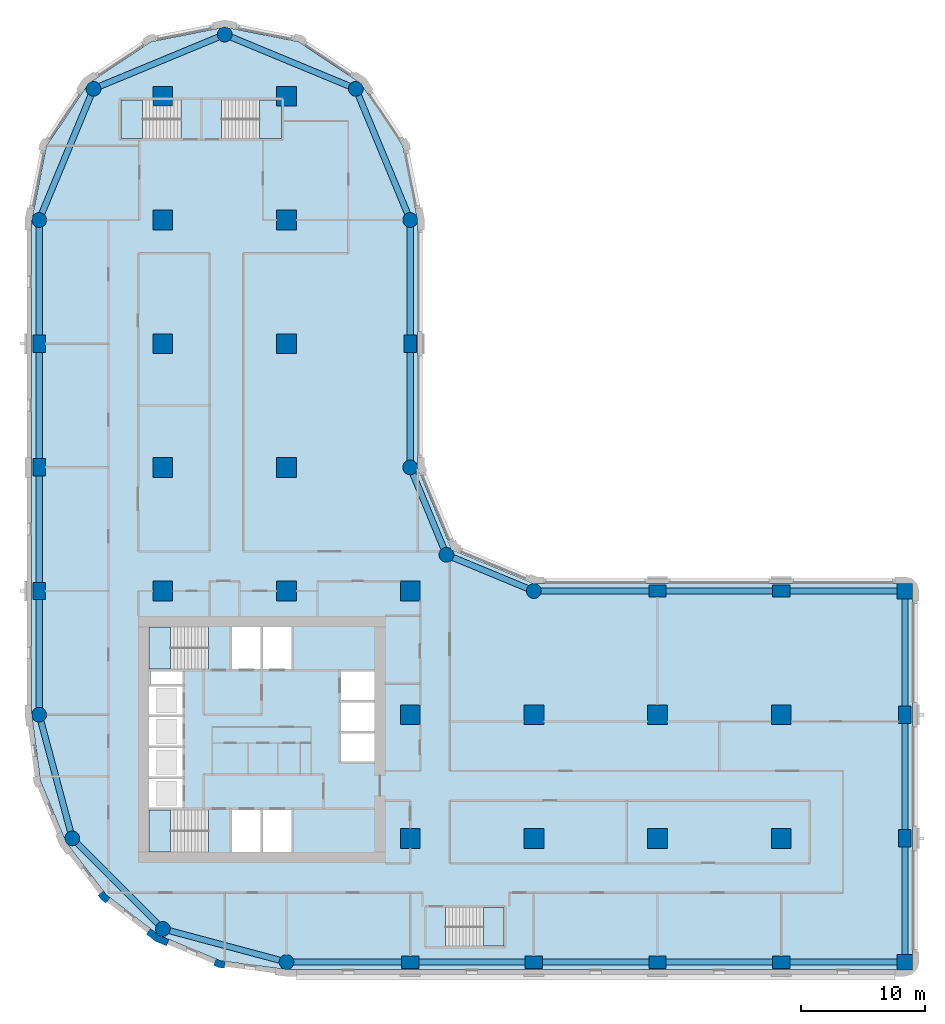
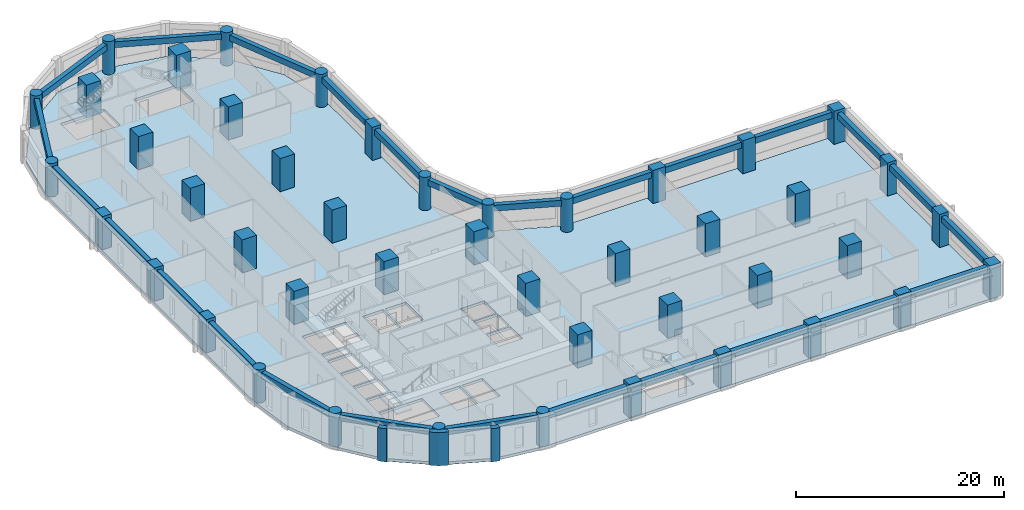
# One storey, part 1 of 11: 45 columns, 26 beams, 6 slabs, 3 walls, 5 elements without a shape of their own.
"""IFC4 building model written with IfcOpenShell, lengths in metres."""

from ifc_helpers import new_model, si_unit, direction, frame, origin, origin_2d, place, context, subcontext, project, spatial, polyline, rectangle, circle, outline, extrude, material, layer, layer_set, material_profile, profile_set, type_object, element, aggregate, save


model = new_model("IFC4")

# Units and contexts
model_context = context("Model", 3, precision=1e-05, world=origin(), true_north=direction((0.0, 1.0)))
body_context = subcontext(model_context, "Body", "Model", "MODEL_VIEW")
ifc_project = project(units=[si_unit("LENGTHUNIT", "METRE"), si_unit("AREAUNIT", "SQUARE_METRE"), si_unit("VOLUMEUNIT", "CUBIC_METRE"), si_unit("PLANEANGLEUNIT", "RADIAN"), si_unit("MASSUNIT", "GRAM", prefix="KILO")], contexts=[model_context])

# Site, building, storey
site_placement = place(None, origin())
site = spatial("IfcSite", under=ifc_project, at=site_placement, CompositionType="ELEMENT")
building_placement = place(site_placement, origin())
building = spatial("IfcBuilding", under=site, at=building_placement, Name="Qaws Garden Tower", CompositionType="ELEMENT")
storey_placement = place(building_placement, frame((0.0, 0.0, 23.699951171875)))
storey = spatial("IfcBuildingStorey", under=building, at=storey_placement, Name="L05", CompositionType="ELEMENT", Elevation=23.699951171875)

# Columns
ifc_material_1 = material(Name="Concrete C80", Category="concrete")
ifc_material_profile_1 = material_profile(ifc_material_1, rectangle(XDim=1.25, YDim=1.25, at=origin_2d()), Name="RC 1250x1250")
ifc_profile_set_1 = profile_set([ifc_material_profile_1], Name="Concrete C80")
column_type_1 = type_object("IfcColumnType", Name="Column RC 1250x1250 C80", PredefinedType="COLUMN", material=ifc_profile_set_1)
for number, where, z_axis, x_axis, name in (
    (1, (70.0, 0.0, 0.0), (0.0, 0.0, 1.0), (1.0, 0.0, 0.0), "Column L05-006"),
    (2, (70.0, 30.0, 0.0), (0.0, 0.0, 1.0), (1.0, 0.0, 0.0), "Column L05-009"),
):
    element("IfcColumn", number, at=place(storey_placement, frame(where, z_axis=z_axis, x_axis=x_axis)), inside=storey, type_object=column_type_1, Name=name, PredefinedType="COLUMN", context=body_context, shape_type="SweptSolid", body=[
        extrude(rectangle(XDim=1.25, YDim=1.25, at=origin_2d()), origin(), (0.0, 0.0, 1.0), 3.900146484375),
    ])
ifc_material_2 = material(Name="Concrete C80", Category="concrete")
ifc_material_profile_2 = material_profile(ifc_material_2, rectangle(XDim=1.39990234375, YDim=1.0, at=origin_2d()), Name="RC 1400x1000")
ifc_profile_set_2 = profile_set([ifc_material_profile_2], Name="Concrete C80")
column_type_2 = type_object("IfcColumnType", Name="Column RC 1400x1000 C80", PredefinedType="COLUMN", material=ifc_profile_set_2)
for number, where, z_axis, x_axis, name in (
    (3, (30.0, 0.0, 0.0), (0.0, 0.0, 1.0), (1.0, 0.0, 0.0), "Column L05-002"),
    (4, (40.0, 0.0, 0.0), (0.0, 0.0, 1.0), (1.0, 0.0, 0.0), "Column L05-003"),
    (5, (50.0, 0.0, 0.0), (0.0, 0.0, 1.0), (1.0, 0.0, 0.0), "Column L05-004"),
    (6, (60.0, 0.0, 0.0), (0.0, 0.0, 1.0), (1.0, 0.0, 0.0), "Column L05-005"),
    (7, (70.0, 10.0, 0.0), (0.0, 0.0, 1.0), (0.0, 1.0, 0.0), "Column L05-007"),
    (8, (70.0, 20.0, 0.0), (0.0, 0.0, 1.0), (0.0, 1.0, 0.0), "Column L05-008"),
    (9, (60.0, 30.0, 0.0), (0.0, 0.0, 1.0), (1.0, 0.0, 0.0), "Column L05-010"),
    (10, (50.0, 30.0, 0.0), (0.0, 0.0, 1.0), (1.0, 0.0, 0.0), "Column L05-011"),
    (11, (30.0, 50.0, 0.0), (0.0, 0.0, 1.0), (0.0, 1.0, 0.0), "Column L05-015"),
    (12, (0.0, 50.0, 0.0), (0.0, 0.0, 1.0), (0.0, 1.0, 0.0), "Column L05-021"),
    (13, (0.0, 40.0, 0.0), (0.0, 0.0, 1.0), (0.0, 1.0, 0.0), "Column L05-022"),
    (14, (0.0, 30.0, 0.0), (0.0, 0.0, 1.0), (0.0, 1.0, 0.0), "Column L05-023"),
):
    element("IfcColumn", number, at=place(storey_placement, frame(where, z_axis=z_axis, x_axis=x_axis)), inside=storey, type_object=column_type_2, Name=name, PredefinedType="COLUMN", context=body_context, shape_type="SweptSolid", body=[
        extrude(rectangle(XDim=1.39990234375, YDim=1.0, at=origin_2d()), origin(), (0.0, 0.0, 1.0), 3.900146484375),
    ])
ifc_material_3 = material(Name="Concrete C80", Category="concrete")
ifc_material_profile_3 = material_profile(ifc_material_3, rectangle(XDim=1.60009765625, YDim=1.60009765625, at=origin_2d()), Name="RC 1600x1600")
ifc_profile_set_3 = profile_set([ifc_material_profile_3], Name="Concrete C80")
column_type_3 = type_object("IfcColumnType", Name="Column RC 1600x1600 C80", PredefinedType="COLUMN", material=ifc_profile_set_3)
for number, where, z_axis, x_axis, name in (
    (15, (10.0, 30.0, 0.0), (0.0, 0.0, 1.0), (1.0, 0.0, 0.0), "Column L05-027"),
    (16, (10.0, 40.0, 0.0), (0.0, 0.0, 1.0), (1.0, 0.0, 0.0), "Column L05-028"),
    (17, (10.0, 50.0, 0.0), (0.0, 0.0, 1.0), (1.0, 0.0, 0.0), "Column L05-029"),
    (18, (10.0, 60.0, 0.0), (0.0, 0.0, 1.0), (1.0, 0.0, 0.0), "Column L05-030"),
    (19, (10.0, 70.0, 0.0), (0.0, 0.0, 1.0), (1.0, 0.0, 0.0), "Column L05-031"),
    (20, (20.0, 30.0, 0.0), (0.0, 0.0, 1.0), (1.0, 0.0, 0.0), "Column L05-032"),
    (21, (20.0, 40.0, 0.0), (0.0, 0.0, 1.0), (1.0, 0.0, 0.0), "Column L05-033"),
    (22, (20.0, 50.0, 0.0), (0.0, 0.0, 1.0), (1.0, 0.0, 0.0), "Column L05-034"),
    (23, (20.0, 60.0, 0.0), (0.0, 0.0, 1.0), (1.0, 0.0, 0.0), "Column L05-035"),
    (24, (20.0, 70.0, 0.0), (0.0, 0.0, 1.0), (1.0, 0.0, 0.0), "Column L05-036"),
    (25, (30.0, 10.0, 0.0), (0.0, 0.0, 1.0), (1.0, 0.0, 0.0), "Column L05-037"),
    (26, (30.0, 20.0, 0.0), (0.0, 0.0, 1.0), (1.0, 0.0, 0.0), "Column L05-038"),
    (27, (30.0, 30.0, 0.0), (0.0, 0.0, 1.0), (1.0, 0.0, 0.0), "Column L05-039"),
    (28, (40.0, 10.0, 0.0), (0.0, 0.0, 1.0), (1.0, 0.0, 0.0), "Column L05-040"),
    (29, (40.0, 20.0, 0.0), (0.0, 0.0, 1.0), (1.0, 0.0, 0.0), "Column L05-041"),
    (30, (50.0, 10.0, 0.0), (0.0, 0.0, 1.0), (1.0, 0.0, 0.0), "Column L05-042"),
    (31, (50.0, 20.0, 0.0), (0.0, 0.0, 1.0), (1.0, 0.0, 0.0), "Column L05-043"),
    (32, (60.0, 10.0, 0.0), (0.0, 0.0, 1.0), (1.0, 0.0, 0.0), "Column L05-044"),
    (33, (60.0, 20.0, 0.0), (0.0, 0.0, 1.0), (1.0, 0.0, 0.0), "Column L05-045"),
):
    element("IfcColumn", number, at=place(storey_placement, frame(where, z_axis=z_axis, x_axis=x_axis)), inside=storey, type_object=column_type_3, Name=name, PredefinedType="COLUMN", context=body_context, shape_type="SweptSolid", body=[
        extrude(rectangle(XDim=1.60009765625, YDim=1.60009765625, at=origin_2d()), origin(), (0.0, 0.0, 1.0), 3.900146484375),
    ])
ifc_material_4 = material(Name="Concrete C80", Category="concrete")
ifc_material_profile_4 = material_profile(ifc_material_4, circle(Radius=0.60009765625, at=origin_2d()), Name="RC D1200")
ifc_profile_set_4 = profile_set([ifc_material_profile_4], Name="Concrete C80")
column_type_4 = type_object("IfcColumnType", Name="Column RC D1200 C80", PredefinedType="COLUMN", material=ifc_profile_set_4)
for number, where, z_axis, x_axis, name in (
    (34, (20.0, 0.0, 0.0), (0.0, 0.0, 1.0), (1.0, 0.0, 0.0), "Column L05-001"),
    (35, (40.0, 30.0, 0.0), (0.0, 0.0, 1.0), (1.0, 0.0, 0.0), "Column L05-012"),
    (36, (32.928955078125, 32.928955078125, 0.0), (0.0, 0.0, 1.0), (1.0, 0.0, 0.0), "Column L05-013"),
    (37, (30.0, 40.0, 0.0), (0.0, 0.0, 1.0), (1.0, 0.0, 0.0), "Column L05-014"),
    (38, (30.0, 60.0, 0.0), (0.0, 0.0, 1.0), (1.0, 0.0, 0.0), "Column L05-016"),
    (39, (25.606689453125, 70.606689453125, 0.0), (0.0, 0.0, 1.0), (1.0, 0.0, 0.0), "Column L05-017"),
    (40, (15.0, 75.0, 0.0), (0.0, 0.0, 1.0), (1.0, 0.0, 0.0), "Column L05-018"),
    (41, (4.393310546875, 70.606689453125, 0.0), (0.0, 0.0, 1.0), (1.0, 0.0, 0.0), "Column L05-019"),
    (42, (0.0, 60.0, 0.0), (0.0, 0.0, 1.0), (1.0, 0.0, 0.0), "Column L05-020"),
    (43, (0.0, 20.0, 0.0), (0.0, 0.0, 1.0), (1.0, 0.0, 0.0), "Column L05-024"),
    (44, (2.679443359375, 10.0, 0.0), (0.0, 0.0, 1.0), (1.0, 0.0, 0.0), "Column L05-025"),
    (45, (10.0, 2.679443359375, 0.0), (0.0, 0.0, 1.0), (1.0, 0.0, 0.0), "Column L05-026"),
):
    element("IfcColumn", number, at=place(storey_placement, frame(where, z_axis=z_axis, x_axis=x_axis)), inside=storey, type_object=column_type_4, Name=name, PredefinedType="COLUMN", context=body_context, shape_type="SweptSolid", body=[
        extrude(circle(Radius=0.60009765625, at=origin_2d()), origin(), (0.0, 0.0, 1.0), 3.900146484375),
    ])

# Beams
ifc_material_5 = material(Name="Concrete C45", Category="concrete")
ifc_material_profile_5 = material_profile(ifc_material_5, rectangle(XDim=0.5, YDim=0.699951171875, at=origin_2d()), Name="RC 500x700")
ifc_profile_set_5 = profile_set([ifc_material_profile_5], Name="Concrete C45")
beam_type = type_object("IfcBeamType", Name="Spandrel beam RC 500x700 C45", PredefinedType="SPANDREL", material=ifc_profile_set_5)
for number, where, z_axis, x_axis, name in (
    (46, (20.0, 0.0, 3.22998046875), (1.0, 0.0, 0.0), (0.0, 1.0, 0.0), "Spandrel beam L05-001"),
    (47, (30.0, 0.0, 3.22998046875), (1.0, 0.0, 0.0), (0.0, 1.0, 0.0), "Spandrel beam L05-002"),
    (48, (40.0, 0.0, 3.22998046875), (1.0, 0.0, 0.0), (0.0, 1.0, 0.0), "Spandrel beam L05-003"),
    (49, (50.0, 0.0, 3.22998046875), (1.0, 0.0, 0.0), (0.0, 1.0, 0.0), "Spandrel beam L05-004"),
    (50, (60.0, 0.0, 3.22998046875), (1.0, 0.0, 0.0), (0.0, 1.0, 0.0), "Spandrel beam L05-005"),
    (51, (70.0, 0.0, 3.22998046875), (0.0, 1.0, 0.0), (-1.0, 0.0, 0.0), "Spandrel beam L05-006"),
    (52, (70.0, 10.0, 3.22998046875), (0.0, 1.0, 0.0), (-1.0, 0.0, 0.0), "Spandrel beam L05-007"),
    (53, (70.0, 20.0, 3.22998046875), (0.0, 1.0, 0.0), (-1.0, 0.0, 0.0), "Spandrel beam L05-008"),
    (54, (70.0, 30.0, 3.22998046875), (-1.0, 0.0, 0.0), (0.0, -1.0, 0.0), "Spandrel beam L05-009"),
    (55, (60.0, 30.0, 3.22998046875), (-1.0, 0.0, 0.0), (0.0, -1.0, 0.0), "Spandrel beam L05-010"),
    (56, (50.0, 30.0, 3.22998046875), (-1.0, 0.0, 0.0), (0.0, -1.0, 0.0), "Spandrel beam L05-011"),
):
    element("IfcBeam", number, at=place(storey_placement, frame(where, z_axis=z_axis, x_axis=x_axis)), inside=storey, type_object=beam_type, Name=name, PredefinedType="SPANDREL", context=body_context, shape_type="SweptSolid", body=[
        extrude(rectangle(XDim=0.5, YDim=0.699951171875, at=origin_2d()), origin(), (0.0, 0.0, 1.0), 10.0),
    ])
for number, where, z_axis, x_axis, name in (
    (57, (40.0, 30.0, 3.22998046875), (-0.923878037141, 0.382687042488, 0.0), (-0.382687042488, -0.923878037141, 0.0), "Spandrel beam L05-012"),
    (58, (32.928955078125, 32.928955078125, 3.22998046875), (-0.382687042488, 0.923878037141, 0.0), (-0.923878037141, -0.382687042488, 0.0), "Spandrel beam L05-013"),
):
    element("IfcBeam", number, at=place(storey_placement, frame(where, z_axis=z_axis, x_axis=x_axis)), inside=storey, type_object=beam_type, Name=name, PredefinedType="SPANDREL", context=body_context, shape_type="SweptSolid", body=[
        extrude(rectangle(XDim=0.5, YDim=0.699951171875, at=origin_2d()), origin(), (0.0, 0.0, 1.0), 7.653564453125),
    ])
for number, where, z_axis, x_axis, name in (
    (59, (30.0, 40.0, 3.22998046875), (0.0, 1.0, 0.0), (-1.0, 0.0, 0.0), "Spandrel beam L05-014"),
    (60, (30.0, 50.0, 3.22998046875), (0.0, 1.0, 0.0), (-1.0, 0.0, 0.0), "Spandrel beam L05-015"),
):
    element("IfcBeam", number, at=place(storey_placement, frame(where, z_axis=z_axis, x_axis=x_axis)), inside=storey, type_object=beam_type, Name=name, PredefinedType="SPANDREL", context=body_context, shape_type="SweptSolid", body=[
        extrude(rectangle(XDim=0.5, YDim=0.699951171875, at=origin_2d()), origin(), (0.0, 0.0, 1.0), 10.0),
    ])
for number, where, z_axis, x_axis, name in (
    (61, (30.0, 60.0, 3.22998046875), (-0.382674207535, 0.923883353507, 0.0), (-0.923883353507, -0.382674207535, 0.0), "Spandrel beam L05-016"),
    (62, (25.606689453125, 70.606689453125, 3.22998046875), (-0.923883353507, 0.382674207535, 0.0), (-0.382674207535, -0.923883353507, 0.0), "Spandrel beam L05-017"),
    (63, (15.0, 75.0, 3.22998046875), (-0.923883353507, -0.382674207535, 0.0), (0.382674207535, -0.923883353507, 0.0), "Spandrel beam L05-018"),
    (64, (4.393310546875, 70.606689453125, 3.22998046875), (-0.382674207535, -0.923883353507, 0.0), (0.923883353507, -0.382674207535, 0.0), "Spandrel beam L05-019"),
):
    element("IfcBeam", number, at=place(storey_placement, frame(where, z_axis=z_axis, x_axis=x_axis)), inside=storey, type_object=beam_type, Name=name, PredefinedType="SPANDREL", context=body_context, shape_type="SweptSolid", body=[
        extrude(rectangle(XDim=0.5, YDim=0.699951171875, at=origin_2d()), origin(), (0.0, 0.0, 1.0), 11.48046875),
    ])
for number, where, z_axis, x_axis, name in (
    (65, (0.0, 60.0, 3.22998046875), (0.0, -1.0, 0.0), (1.0, 0.0, 0.0), "Spandrel beam L05-020"),
    (66, (0.0, 50.0, 3.22998046875), (0.0, -1.0, 0.0), (1.0, 0.0, 0.0), "Spandrel beam L05-021"),
    (67, (0.0, 40.0, 3.22998046875), (0.0, -1.0, 0.0), (1.0, 0.0, 0.0), "Spandrel beam L05-022"),
    (68, (0.0, 30.0, 3.22998046875), (0.0, -1.0, 0.0), (1.0, 0.0, 0.0), "Spandrel beam L05-023"),
):
    element("IfcBeam", number, at=place(storey_placement, frame(where, z_axis=z_axis, x_axis=x_axis)), inside=storey, type_object=beam_type, Name=name, PredefinedType="SPANDREL", context=body_context, shape_type="SweptSolid", body=[
        extrude(rectangle(XDim=0.5, YDim=0.699951171875, at=origin_2d()), origin(), (0.0, 0.0, 1.0), 10.0),
    ])
for number, where, z_axis, x_axis, name in (
    (69, (0.0, 20.0, 3.22998046875), (0.25881466832, -0.965926999034, 0.0), (0.965926999034, 0.25881466832, 0.0), "Spandrel beam L05-024"),
    (70, (2.679443359375, 10.0, 3.22998046875), (0.707106781187, -0.707106781187, 0.0), (0.707106781187, 0.707106781187, 0.0), "Spandrel beam L05-025"),
    (71, (10.0, 2.679443359375, 3.22998046875), (0.965926999034, -0.25881466832, 0.0), (0.25881466832, 0.965926999034, 0.0), "Spandrel beam L05-026"),
):
    element("IfcBeam", number, at=place(storey_placement, frame(where, z_axis=z_axis, x_axis=x_axis)), inside=storey, type_object=beam_type, Name=name, PredefinedType="SPANDREL", context=body_context, shape_type="SweptSolid", body=[
        extrude(rectangle(XDim=0.5, YDim=0.699951171875, at=origin_2d()), origin(), (0.0, 0.0, 1.0), 10.352783203125),
    ])

# Slab
ifc_material_6 = material(Name="Concrete C40", Category="concrete")
ifc_layer_1 = layer(ifc_material_6, 0.320068359375)
ifc_layer_set_1 = layer_set([ifc_layer_1], Name="Concrete C40")
slab_type_1 = type_object("IfcSlabType", Name="Floor slab 320 C40", PredefinedType="FLOOR", material=ifc_layer_set_1)
slab_1_placement = place(storey_placement, frame((0.0, 0.0, -0.320068359375)))
element("IfcSlab", 72, at=slab_1_placement, inside=storey, type_object=slab_type_1, Name="Floor slab L05", PredefinedType="FLOOR", context=body_context, shape_type="SweptSolid", body=[
    extrude(outline(polyline([(0.101806640625, 14.668212890625), (-0.60009765625, 20.0), (-0.60009765625, 30.60009765625), (-0.60009765625, 60.0), (-0.60009765625, 60.0), (0.58740234375, 65.969970703125), (3.968994140625, 71.031005859375), (9.030029296875, 74.41259765625), (15.0, 75.60009765625), (20.969970703125, 74.41259765625), (26.031005859375, 71.031005859375), (29.41259765625, 65.969970703125), (30.60009765625, 60.0), (30.60009765625, 40.0), (33.353271484375, 33.353271484375), (40.0, 30.60009765625), (70.0, 30.60009765625), (70.42431640625, 30.42431640625), (70.60009765625, 30.0), (70.60009765625, 0.0), (70.42431640625, -0.42431640625), (70.0, -0.60009765625), (30.60009765625, -0.60009765625), (20.0, -0.60009765625), (14.668212890625, 0.101806640625), (9.699951171875, 2.159912109375), (5.43359375, 5.43359375), (2.159912109375, 9.699951171875), (0.101806640625, 14.668212890625)]), holes=[polyline([(13.699462890625, 12.300048828125), (8.89990234375, 12.300048828125), (8.89990234375, 8.89990234375), (13.699462890625, 8.89990234375), (13.699462890625, 12.300048828125)]), polyline([(17.89990234375, 12.300048828125), (15.60009765625, 12.300048828125), (15.60009765625, 8.89990234375), (17.89990234375, 8.89990234375), (17.89990234375, 12.300048828125)]), polyline([(11.60009765625, 14.800048828125), (8.89990234375, 14.800048828125), (8.89990234375, 12.5), (11.60009765625, 12.5), (11.60009765625, 14.800048828125)]), polyline([(11.60009765625, 17.300048828125), (8.89990234375, 17.300048828125), (8.89990234375, 15.0), (11.60009765625, 15.0), (11.60009765625, 17.300048828125)]), polyline([(11.60009765625, 19.800048828125), (8.89990234375, 19.800048828125), (8.89990234375, 17.5), (11.60009765625, 17.5), (11.60009765625, 19.800048828125)]), polyline([(11.60009765625, 22.300048828125), (8.89990234375, 22.300048828125), (8.89990234375, 20.0), (11.60009765625, 20.0), (11.60009765625, 22.300048828125)]), polyline([(11.60009765625, 23.5), (9.0, 23.5), (9.0, 22.5), (11.60009765625, 22.5), (11.60009765625, 23.5)]), polyline([(13.699462890625, 27.10009765625), (8.89990234375, 27.10009765625), (8.89990234375, 23.699951171875), (13.699462890625, 23.699951171875), (13.699462890625, 27.10009765625)]), polyline([(11.449462890625, 69.699951171875), (6.60009765625, 69.699951171875), (6.60009765625, 66.60009765625), (11.449462890625, 66.60009765625), (11.449462890625, 69.699951171875)]), polyline([(37.60009765625, 4.39990234375), (32.8505859375, 4.39990234375), (32.8505859375, 1.300048828125), (37.60009765625, 1.300048828125), (37.60009765625, 4.39990234375)]), polyline([(20.39990234375, 12.300048828125), (18.10009765625, 12.300048828125), (18.10009765625, 8.89990234375), (20.39990234375, 8.89990234375), (20.39990234375, 12.300048828125)]), polyline([(27.10009765625, 18.5), (24.39990234375, 18.5), (24.39990234375, 16.199951171875), (27.10009765625, 16.199951171875), (27.10009765625, 18.5)]), polyline([(27.10009765625, 21.0), (24.39990234375, 21.0), (24.39990234375, 18.699951171875), (27.10009765625, 18.699951171875), (27.10009765625, 21.0)]), polyline([(27.10009765625, 23.5), (24.39990234375, 23.5), (24.39990234375, 21.199951171875), (27.10009765625, 21.199951171875), (27.10009765625, 23.5)]), polyline([(17.89990234375, 27.10009765625), (15.60009765625, 27.10009765625), (15.60009765625, 23.699951171875), (17.89990234375, 23.699951171875), (17.89990234375, 27.10009765625)]), polyline([(20.39990234375, 23.699951171875), (20.39990234375, 27.10009765625), (18.10009765625, 27.10009765625), (18.10009765625, 23.699951171875), (20.39990234375, 23.699951171875)]), polyline([(19.60009765625, 66.60009765625), (19.60009765625, 69.699951171875), (14.75048828125, 69.699951171875), (14.75048828125, 66.60009765625), (19.60009765625, 66.60009765625)])]), origin(), (0.0, 0.0, 1.0), 0.320068359375),
])

# Stair, slab
ifc_material_7 = material(Name="Concrete C40", Category="concrete")
stair_type_1 = type_object("IfcStairType", Name="Exit stair 1500", PredefinedType="HALF_TURN_STAIR", material=ifc_material_7)
placement_1 = place(storey_placement, origin())
stair_1 = element("IfcStair", 73, at=placement_1, inside=storey, type_object=stair_type_1, Name="Stair 1", PredefinedType="HALF_TURN_STAIR")
ifc_material_8 = material(Name="Concrete C40", Category="concrete")
ifc_layer_2 = layer(ifc_material_8, 0.199951171875)
ifc_layer_set_2 = layer_set([ifc_layer_2], Name="Concrete C40")
slab_type_2 = type_object("IfcSlabType", Name="Stair landing 200", PredefinedType="LANDING", material=ifc_layer_set_2)
placement_2 = place(storey_placement, frame((0.0, 0.0, 1.75)))
slab_2 = element("IfcSlab", 74, at=placement_2, type_object=slab_type_2, Name="ST1 landing 1", PredefinedType="LANDING", context=body_context, shape_type="SweptSolid", body=[
    extrude(outline(polyline([(8.89990234375, 8.89990234375), (10.6201171875, 8.89990234375), (10.6201171875, 12.300048828125), (8.89990234375, 12.300048828125), (8.89990234375, 8.89990234375)])), origin(), (0.0, 0.0, 1.0), 0.199951171875),
])
aggregate(stair_1, [slab_2])

stair_2 = element("IfcStair", 75, at=placement_1, inside=storey, type_object=stair_type_1, Name="Stair 4", PredefinedType="HALF_TURN_STAIR")
slab_3 = element("IfcSlab", 76, at=placement_2, type_object=slab_type_2, Name="ST4 landing 1", PredefinedType="LANDING", context=body_context, shape_type="SweptSolid", body=[
    extrude(outline(polyline([(8.89990234375, 23.699951171875), (10.6201171875, 23.699951171875), (10.6201171875, 27.10009765625), (8.89990234375, 27.10009765625), (8.89990234375, 23.699951171875)])), origin(), (0.0, 0.0, 1.0), 0.199951171875),
])
aggregate(stair_2, [slab_3])

ifc_material_9 = material(Name="Concrete C40", Category="concrete")
stair_type_2 = type_object("IfcStairType", Name="Exit stair 1350", PredefinedType="HALF_TURN_STAIR", material=ifc_material_9)
stair_3 = element("IfcStair", 77, at=placement_1, inside=storey, type_object=stair_type_2, Name="Stair 5", PredefinedType="HALF_TURN_STAIR")
slab_4 = element("IfcSlab", 78, at=placement_2, type_object=slab_type_2, Name="ST5 landing 1", PredefinedType="LANDING", context=body_context, shape_type="SweptSolid", body=[
    extrude(outline(polyline([(35.929931640625, 1.300048828125), (37.60009765625, 1.300048828125), (37.60009765625, 4.39990234375), (35.929931640625, 4.39990234375), (35.929931640625, 1.300048828125)])), origin(), (0.0, 0.0, 1.0), 0.199951171875),
])
aggregate(stair_3, [slab_4])

stair_4 = element("IfcStair", 79, at=placement_1, inside=storey, type_object=stair_type_2, Name="Stair 6", PredefinedType="HALF_TURN_STAIR")
slab_5 = element("IfcSlab", 80, at=placement_2, type_object=slab_type_2, Name="ST6 landing 1", PredefinedType="LANDING", context=body_context, shape_type="SweptSolid", body=[
    extrude(outline(polyline([(6.60009765625, 66.60009765625), (8.3701171875, 66.60009765625), (8.3701171875, 69.699951171875), (6.60009765625, 69.699951171875), (6.60009765625, 66.60009765625)])), origin(), (0.0, 0.0, 1.0), 0.199951171875),
])
aggregate(stair_4, [slab_5])

stair_5 = element("IfcStair", 81, at=placement_1, inside=storey, type_object=stair_type_2, Name="Stair 7", PredefinedType="HALF_TURN_STAIR")
slab_6 = element("IfcSlab", 82, at=placement_2, type_object=slab_type_2, Name="ST7 landing 1", PredefinedType="LANDING", context=body_context, shape_type="SweptSolid", body=[
    extrude(outline(polyline([(17.830078125, 66.60009765625), (19.60009765625, 66.60009765625), (19.60009765625, 69.699951171875), (17.830078125, 69.699951171875), (17.830078125, 66.60009765625)])), origin(), (0.0, 0.0, 1.0), 0.199951171875),
])
aggregate(stair_5, [slab_6])

# Walls
ifc_material_10 = material(Name="Clay facing brick masonry", Category="masonry")
ifc_layer_3 = layer(ifc_material_10, 0.550048828125)
ifc_layer_set_3 = layer_set([ifc_layer_3], Name="Clay facing brick masonry")
wall_type_1 = type_object("IfcWallType", Name="Brick kink pier 550 x 600", PredefinedType="SOLIDWALL", material=ifc_layer_set_3)
element("IfcWall", 83, at=placement_1, inside=storey, type_object=wall_type_1, Name="E-L05-pier-30", PredefinedType="SOLIDWALL", context=body_context, shape_type="SweptSolid", body=[
    extrude(outline(polyline([(4.8818359375, 5.487060546875), (4.762939453125, 5.395751953125), (5.03759765625, 5.03759765625), (5.395751953125, 4.762939453125), (5.487060546875, 4.8818359375), (5.730712890625, 5.19921875), (5.429931640625, 5.429931640625), (5.19921875, 5.730712890625), (4.8818359375, 5.487060546875)])), origin(), (0.0, 0.0, 1.0), 3.900146484375),
])
element("IfcWall", 84, at=placement_1, inside=storey, type_object=wall_type_1, Name="E-L05-pier-32", PredefinedType="SOLIDWALL", context=body_context, shape_type="SweptSolid", body=[
    extrude(outline(polyline([(14.163818359375, -0.127685546875), (14.1064453125, -0.26611328125), (14.5234375, -0.43896484375), (14.970947265625, -0.497802734375), (14.990478515625, -0.34912109375), (15.042724609375, 0.04736328125), (14.6669921875, 0.096923828125), (14.31689453125, 0.241943359375), (14.163818359375, -0.127685546875)])), origin(), (0.0, 0.0, 1.0), 3.900146484375),
])
ifc_material_11 = material(Name="Clay facing brick masonry", Category="masonry")
ifc_layer_4 = layer(ifc_material_11, 0.550048828125)
ifc_layer_set_4 = layer_set([ifc_layer_4], Name="Clay facing brick masonry")
wall_type_2 = type_object("IfcWallType", Name="Brick pier 550 x 1600", PredefinedType="SOLIDWALL", material=ifc_layer_set_4)
element("IfcWall", 85, at=placement_1, inside=storey, type_object=wall_type_2, Name="E-L05-pier-31", PredefinedType="SOLIDWALL", context=body_context, shape_type="SweptSolid", body=[
    extrude(outline(polyline([(8.756591796875, 2.373046875), (8.665283203125, 2.254150390625), (9.419921875, 1.675048828125), (10.299072265625, 1.310791015625), (10.3564453125, 1.449462890625), (10.509521484375, 1.819091796875), (9.697509765625, 2.1552734375), (9.0, 2.6904296875), (8.756591796875, 2.373046875)])), origin(), (0.0, 0.0, 1.0), 3.900146484375),
])

save(model, "model.ifc")
